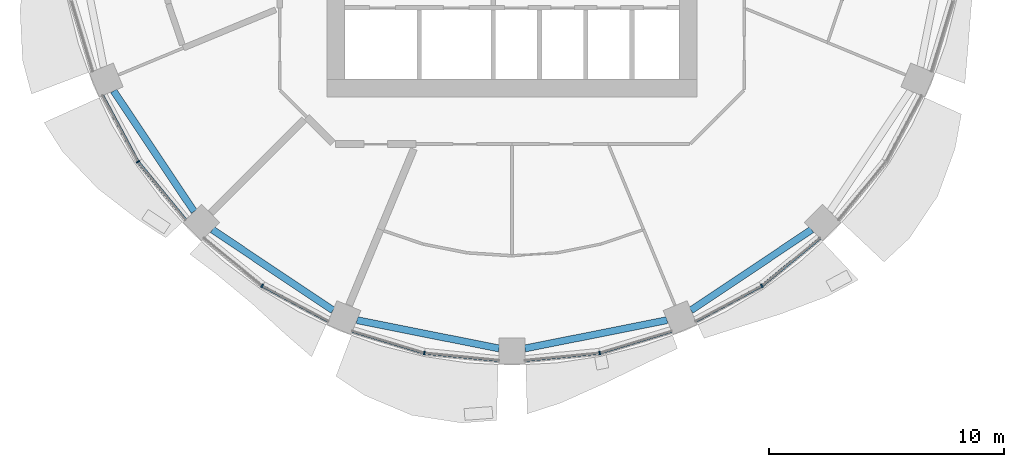
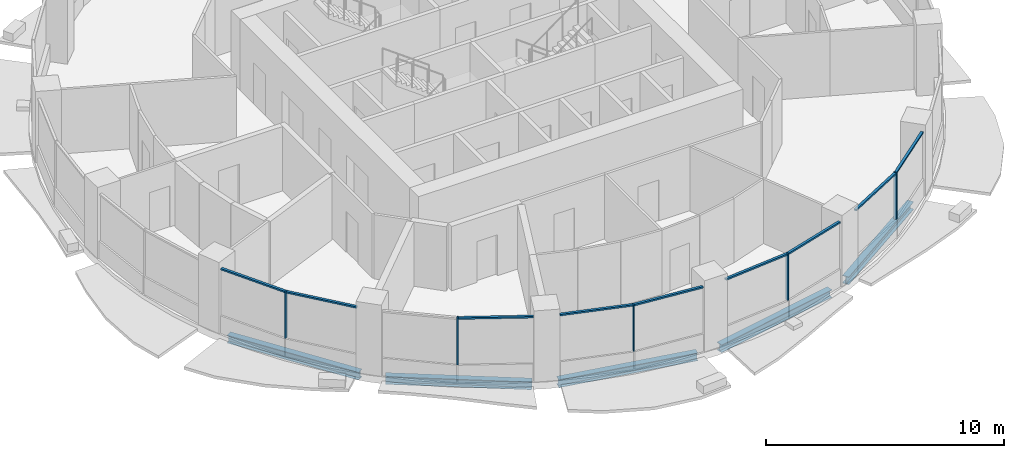
# One storey, part 2 of 14: 14 members, 5 beams, 5 elements without a shape of their own.
"""IFC4 building model written with IfcOpenShell, lengths in metres."""

from ifc_helpers import new_model, si_unit, direction, frame, origin, origin_2d, place, context, subcontext, project, spatial, rectangle, i_section, extrude, material, material_profile, profile_set, type_object, element, aggregate, save


model = new_model("IFC4")

# Units and contexts
model_context = context("Model", 3, precision=1e-05, world=origin(), true_north=direction((0.0, 1.0)))
body_context = subcontext(model_context, "Body", "Model", "MODEL_VIEW")
ifc_project = project(units=[si_unit("LENGTHUNIT", "METRE"), si_unit("AREAUNIT", "SQUARE_METRE"), si_unit("VOLUMEUNIT", "CUBIC_METRE"), si_unit("PLANEANGLEUNIT", "RADIAN"), si_unit("MASSUNIT", "GRAM", prefix="KILO")], contexts=[model_context])

# Site, building, storey
site_placement = place(None, origin())
site = spatial("IfcSite", under=ifc_project, at=site_placement, CompositionType="ELEMENT")
building_placement = place(site_placement, origin())
building = spatial("IfcBuilding", under=site, at=building_placement, Name="Polderwave Tower", CompositionType="ELEMENT")
storey_placement = place(building_placement, frame((0.0, 0.0, 94.64990234375)))
storey = spatial("IfcBuildingStorey", under=building, at=storey_placement, Name="L24", CompositionType="ELEMENT", Elevation=94.64990234375)

# Curtain wall, member
ifc_material_1 = material(Name="Aluminium 6063-T6 and glass", Category="aluminium")
curtain_wall_type = type_object("IfcCurtainWallType", Name="Growing floor ribbon glazing wall", PredefinedType="NOTDEFINED", material=ifc_material_1)
curtain_wall_1_placement = place(storey_placement, origin())
curtain_wall_1 = element("IfcCurtainWall", 1, at=curtain_wall_1_placement, inside=storey, type_object=curtain_wall_type, Name="CW2 L24 09", PredefinedType="NOTDEFINED")
ifc_material_2 = material(Name="Aluminium 6063-T6", Category="aluminium")
ifc_material_profile_1 = material_profile(ifc_material_2, rectangle(XDim=0.14990234375, YDim=0.06005859375, at=origin_2d()), Name="AL 60x150")
ifc_profile_set_1 = profile_set([ifc_material_profile_1], Name="Aluminium 6063-T6")
member_type_1 = type_object("IfcMemberType", Name="Growing floor ribbon glazing mullion 60x150", PredefinedType="MULLION", material=ifc_profile_set_1)
member_1_placement = place(storey_placement, frame((-15.89794921875, -10.623046875, 0.900146484375), z_axis=(0.0, 0.0, 1.0), x_axis=(0.831467672992, 0.555573135393, 0.0)))
member_1 = element("IfcMember", 2, at=member_1_placement, type_object=member_type_1, Name="CW2 mullion 1", PredefinedType="MULLION", context=body_context, shape_type="SweptSolid", body=[
    extrude(rectangle(XDim=0.14990234375, YDim=0.06005859375, at=origin_2d()), origin(), (0.0, 0.0, 1.0), 2.39990234375),
])

curtain_wall_2_placement = place(storey_placement, origin())
curtain_wall_2 = element("IfcCurtainWall", 3, at=curtain_wall_2_placement, inside=storey, type_object=curtain_wall_type, Name="CW2 L24 10", PredefinedType="NOTDEFINED")
member_2_placement = place(storey_placement, frame((-10.623046875, -15.89794921875, 0.900146484375), z_axis=(0.0, 0.0, 1.0), x_axis=(0.555573135393, 0.831467672992, 0.0)))
member_2 = element("IfcMember", 4, at=member_2_placement, type_object=member_type_1, Name="CW2 mullion 1", PredefinedType="MULLION", context=body_context, shape_type="SweptSolid", body=[
    extrude(rectangle(XDim=0.14990234375, YDim=0.06005859375, at=origin_2d()), origin(), (0.0, 0.0, 1.0), 2.39990234375),
])

curtain_wall_3_placement = place(storey_placement, origin())
curtain_wall_3 = element("IfcCurtainWall", 5, at=curtain_wall_3_placement, inside=storey, type_object=curtain_wall_type, Name="CW2 L24 11", PredefinedType="NOTDEFINED")
member_3_placement = place(storey_placement, frame((-3.72998046875, -18.7529296875, 0.900146484375), z_axis=(0.0, 0.0, 1.0), x_axis=(0.195112575278, 0.980780853692, 0.0)))
member_3 = element("IfcMember", 6, at=member_3_placement, type_object=member_type_1, Name="CW2 mullion 1", PredefinedType="MULLION", context=body_context, shape_type="SweptSolid", body=[
    extrude(rectangle(XDim=0.14990234375, YDim=0.06005859375, at=origin_2d()), origin(), (0.0, 0.0, 1.0), 2.39990234375),
])

curtain_wall_4_placement = place(storey_placement, origin())
curtain_wall_4 = element("IfcCurtainWall", 7, at=curtain_wall_4_placement, inside=storey, type_object=curtain_wall_type, Name="CW2 L24 12", PredefinedType="NOTDEFINED")
member_4_placement = place(storey_placement, frame((3.72998046875, -18.7529296875, 0.900146484375), z_axis=(0.0, 0.0, 1.0), x_axis=(-0.195112575278, 0.980780853692, 0.0)))
member_4 = element("IfcMember", 8, at=member_4_placement, type_object=member_type_1, Name="CW2 mullion 1", PredefinedType="MULLION", context=body_context, shape_type="SweptSolid", body=[
    extrude(rectangle(XDim=0.14990234375, YDim=0.06005859375, at=origin_2d()), origin(), (0.0, 0.0, 1.0), 2.39990234375),
])

curtain_wall_5_placement = place(storey_placement, origin())
curtain_wall_5 = element("IfcCurtainWall", 9, at=curtain_wall_5_placement, inside=storey, type_object=curtain_wall_type, Name="CW2 L24 13", PredefinedType="NOTDEFINED")
member_5_placement = place(storey_placement, frame((10.623046875, -15.89794921875, 0.900146484375), z_axis=(0.0, 0.0, 1.0), x_axis=(-0.555573135393, 0.831467672992, 0.0)))
member_5 = element("IfcMember", 10, at=member_5_placement, type_object=member_type_1, Name="CW2 mullion 1", PredefinedType="MULLION", context=body_context, shape_type="SweptSolid", body=[
    extrude(rectangle(XDim=0.14990234375, YDim=0.06005859375, at=origin_2d()), origin(), (0.0, 0.0, 1.0), 2.39990234375),
])

# Member
ifc_material_profile_2 = material_profile(ifc_material_2, rectangle(XDim=0.1201171875, YDim=0.080078125, at=origin_2d()), Name="AL 80x120")
ifc_profile_set_2 = profile_set([ifc_material_profile_2], Name="Aluminium 6063-T6")
member_type_2 = type_object("IfcMemberType", Name="Growing floor ribbon glazing transom 80x120", PredefinedType="USERDEFINED", material=ifc_profile_set_2)
member_6_placement = place(storey_placement, frame((-17.404052734375, -7.803955078125, 3.260009765625), z_axis=(0.471232490074, -0.882009036404, 0.0), x_axis=(0.882009036404, 0.471232490074, 0.0)))
member_6 = element("IfcMember", 11, at=member_6_placement, type_object=member_type_2, Name="CW2 transom 1", ObjectType="TRANSOM", PredefinedType="USERDEFINED", context=body_context, shape_type="SweptSolid", body=[
    extrude(rectangle(XDim=0.1201171875, YDim=0.080078125, at=origin_2d()), origin(), (0.0, 0.0, 1.0), 3.166015625),
])

member_7_placement = place(storey_placement, frame((-15.87890625, -10.646240234375, 3.260009765625), z_axis=(0.634538762198, -0.772891039712, 0.0), x_axis=(0.772891039712, 0.634538762198, 0.0)))
member_7 = element("IfcMember", 12, at=member_7_placement, type_object=member_type_2, Name="CW2 transom 2", ObjectType="TRANSOM", PredefinedType="USERDEFINED", context=body_context, shape_type="SweptSolid", body=[
    extrude(rectangle(XDim=0.1201171875, YDim=0.080078125, at=origin_2d()), origin(), (0.0, 0.0, 1.0), 3.165771484375),
])

aggregate(curtain_wall_1, [member_1, member_6, member_7])

member_8_placement = place(storey_placement, frame((-10.596435546875, -15.912109375, 3.260009765625), z_axis=(0.882009036404, -0.471232490074, 0.0), x_axis=(0.471232490074, 0.882009036404, 0.0)))
member_8 = element("IfcMember", 13, at=member_8_placement, type_object=member_type_2, Name="CW2 transom 2", ObjectType="TRANSOM", PredefinedType="USERDEFINED", context=body_context, shape_type="SweptSolid", body=[
    extrude(rectangle(XDim=0.1201171875, YDim=0.080078125, at=origin_2d()), origin(), (0.0, 0.0, 1.0), 3.166015625),
])

aggregate(curtain_wall_2, [member_2, member_8])

member_9_placement = place(storey_placement, frame((-6.7880859375, -17.824951171875, 3.260009765625), z_axis=(0.956895886584, -0.290431166093, 0.0), x_axis=(0.290431166093, 0.956895886584, 0.0)))
member_9 = element("IfcMember", 14, at=member_9_placement, type_object=member_type_2, Name="CW2 transom 1", ObjectType="TRANSOM", PredefinedType="USERDEFINED", context=body_context, shape_type="SweptSolid", body=[
    extrude(rectangle(XDim=0.1201171875, YDim=0.080078125, at=origin_2d()), origin(), (0.0, 0.0, 1.0), 3.165771484375),
])

member_10_placement = place(storey_placement, frame((-3.7001953125, -18.755859375, 3.260009765625), z_axis=(0.995191003597, -0.097953388713, 0.0), x_axis=(0.097953388713, 0.995191003597, 0.0)))
member_10 = element("IfcMember", 15, at=member_10_placement, type_object=member_type_2, Name="CW2 transom 2", ObjectType="TRANSOM", PredefinedType="USERDEFINED", context=body_context, shape_type="SweptSolid", body=[
    extrude(rectangle(XDim=0.1201171875, YDim=0.080078125, at=origin_2d()), origin(), (0.0, 0.0, 1.0), 3.165283203125),
])

aggregate(curtain_wall_3, [member_3, member_9, member_10])

member_11_placement = place(storey_placement, frame((0.550048828125, -19.06591796875, 3.260009765625), z_axis=(0.995191003597, 0.097953388713, 0.0), x_axis=(-0.097953388713, 0.995191003597, 0.0)))
member_11 = element("IfcMember", 16, at=member_11_placement, type_object=member_type_2, Name="CW2 transom 1", ObjectType="TRANSOM", PredefinedType="USERDEFINED", context=body_context, shape_type="SweptSolid", body=[
    extrude(rectangle(XDim=0.1201171875, YDim=0.080078125, at=origin_2d()), origin(), (0.0, 0.0, 1.0), 3.165283203125),
])

member_12_placement = place(storey_placement, frame((3.7587890625, -18.744384765625, 3.260009765625), z_axis=(0.956895886584, 0.290431166093, 0.0), x_axis=(-0.290431166093, 0.956895886584, 0.0)))
member_12 = element("IfcMember", 17, at=member_12_placement, type_object=member_type_2, Name="CW2 transom 2", ObjectType="TRANSOM", PredefinedType="USERDEFINED", context=body_context, shape_type="SweptSolid", body=[
    extrude(rectangle(XDim=0.1201171875, YDim=0.080078125, at=origin_2d()), origin(), (0.0, 0.0, 1.0), 3.165771484375),
])

aggregate(curtain_wall_4, [member_4, member_11, member_12])

member_13_placement = place(storey_placement, frame((7.803955078125, -17.404052734375, 3.260009765625), z_axis=(0.882009036404, 0.471232490074, 0.0), x_axis=(-0.471232490074, 0.882009036404, 0.0)))
member_13 = element("IfcMember", 18, at=member_13_placement, type_object=member_type_2, Name="CW2 transom 1", ObjectType="TRANSOM", PredefinedType="USERDEFINED", context=body_context, shape_type="SweptSolid", body=[
    extrude(rectangle(XDim=0.1201171875, YDim=0.080078125, at=origin_2d()), origin(), (0.0, 0.0, 1.0), 3.166015625),
])

member_14_placement = place(storey_placement, frame((10.646240234375, -15.87890625, 3.260009765625), z_axis=(0.772891039712, 0.634538762198, 0.0), x_axis=(-0.634538762198, 0.772891039712, 0.0)))
member_14 = element("IfcMember", 19, at=member_14_placement, type_object=member_type_2, Name="CW2 transom 2", ObjectType="TRANSOM", PredefinedType="USERDEFINED", context=body_context, shape_type="SweptSolid", body=[
    extrude(rectangle(XDim=0.1201171875, YDim=0.080078125, at=origin_2d()), origin(), (0.0, 0.0, 1.0), 3.165771484375),
])

aggregate(curtain_wall_5, [member_5, member_13, member_14])

# Beams
ifc_material_3 = material(Name="Steel S355", Category="steel")
ifc_material_profile_3 = material_profile(ifc_material_3, i_section(OverallWidth=0.300048828125, OverallDepth=0.39990234375, WebThickness=0.013427734375, FlangeThickness=0.02392578125, at=origin_2d()), Name="HE 400 B")
ifc_profile_set_3 = profile_set([ifc_material_profile_3], Name="Steel S355")
beam_type = type_object("IfcBeamType", Name="RING BEAM HE 400 B", PredefinedType="BEAM", material=ifc_profile_set_3)
for number, where, z_axis, x_axis, name in (
    (20, (-16.937255859375, -7.611083984375, -0.5498046875), (0.555586625808, -0.831458658758, 0.0), (0.831458658758, 0.555586625808, 0.0), "ST-RB-L24-09"),
    (21, (-12.7353515625, -13.51318359375, -0.5498046875), (0.831458658758, -0.555586625808, 0.0), (0.555586625808, 0.831458658758, 0.0), "ST-RB-L24-10"),
    (22, (-6.5947265625, -17.358154296875, -0.5498046875), (0.980784304918, -0.195095226048, 0.0), (0.195095226048, 0.980784304918, 0.0), "ST-RB-L24-11"),
    (23, (0.550048828125, -18.560546875, -0.5498046875), (0.980784304918, 0.195095226048, 0.0), (-0.195095226048, 0.980784304918, 0.0), "ST-RB-L24-12"),
    (24, (7.611083984375, -16.937255859375, -0.5498046875), (0.831458658758, 0.555586625808, 0.0), (-0.555586625808, 0.831458658758, 0.0), "ST-RB-L24-13"),
):
    element("IfcBeam", number, at=place(storey_placement, frame(where, z_axis=z_axis, x_axis=x_axis)), inside=storey, type_object=beam_type, Name=name, PredefinedType="BEAM", context=body_context, shape_type="SweptSolid", body=[
        extrude(i_section(OverallWidth=0.300048828125, OverallDepth=0.39990234375, WebThickness=0.013427734375, FlangeThickness=0.02392578125, at=origin_2d()), origin(), (0.0, 0.0, 1.0), 6.1630859375),
    ])

save(model, "model.ifc")
